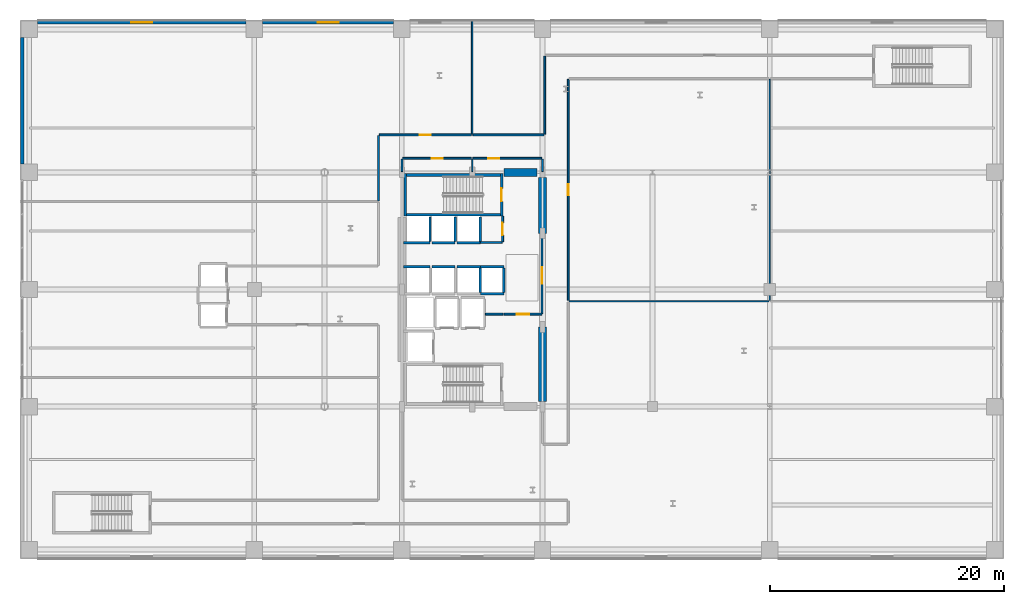
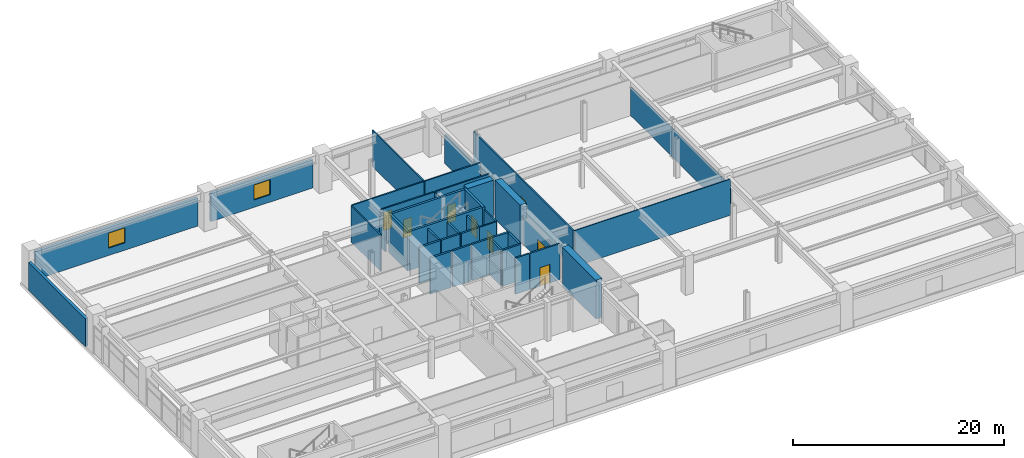
# One storey, part 21 of 28: 41 walls, 8 doors, 2 windows, 10 openings.
"""IFC4 building model written with IfcOpenShell, lengths in metres."""

from ifc_helpers import new_model, si_unit, direction, frame, frame_2d, origin, place, context, subcontext, project, spatial, rectangle, extrude, material, layer, layer_set, type_object, element, fill, save


model = new_model("IFC4")

# Units and contexts
model_context = context("Model", 3, precision=1e-05, world=origin(), true_north=direction((0.0, 1.0)))
body_context = subcontext(model_context, "Body", "Model", "MODEL_VIEW")
ifc_project = project(units=[si_unit("LENGTHUNIT", "METRE"), si_unit("AREAUNIT", "SQUARE_METRE"), si_unit("VOLUMEUNIT", "CUBIC_METRE"), si_unit("PLANEANGLEUNIT", "RADIAN"), si_unit("MASSUNIT", "GRAM", prefix="KILO")], contexts=[model_context])

# Site, building, storey
site_placement = place(None, origin())
site = spatial("IfcSite", under=ifc_project, at=site_placement, CompositionType="ELEMENT")
building_placement = place(site_placement, origin())
building = spatial("IfcBuilding", under=site, at=building_placement, Name="Soratama Intermodal Tower", CompositionType="ELEMENT")
storey_placement = place(building_placement, frame((0.0, 0.0, 16.199951171875)))
storey = spatial("IfcBuildingStorey", under=building, at=storey_placement, Name="L03", CompositionType="ELEMENT", Elevation=16.199951171875)

# Wall, opening, window
ifc_material_1 = material(Name="Concrete f'c 42 MPa", Category="concrete")
ifc_layer_1 = layer(ifc_material_1, 0.300048828125)
ifc_layer_set_1 = layer_set([ifc_layer_1], Name="Concrete f'c 42 MPa")
wall_type_1 = type_object("IfcWallType", Name="EW-STONE-300", PredefinedType="SOLIDWALL", material=ifc_layer_set_1)
wall_1_placement = place(storey_placement, frame((1.5, 47.800048828125, 0.0), z_axis=(0.0, 0.0, 1.0), x_axis=(1.0, 0.0, 0.0)))
wall_1 = element("IfcWall", 1, at=wall_1_placement, inside=storey, type_object=wall_type_1, Name="L03 N Limestone Wall B1", PredefinedType="SOLIDWALL", context=body_context, shape_type="SweptSolid", body=[
    extrude(rectangle(XDim=17.800048828125, YDim=0.300048828125, at=frame_2d((8.89990234375, 0.0))), origin(), (0.0, 0.0, 1.0), 3.236083984375),
])
opening_1_placement = place(wall_1_placement, frame((8.0, 0.0, 0.85009765625)))
opening_1 = element("IfcOpeningElement", 2, at=opening_1_placement, cuts=wall_1, Name="Opening WN-3", PredefinedType="OPENING", context=body_context, shape_type="SweptSolid", body=[
    extrude(rectangle(XDim=1.800048828125, YDim=1.75, at=frame_2d((0.89990234375, 0.875))), frame((0.0, 0.159912109375, 0.0), z_axis=(0.0, -1.0, 0.0), x_axis=(1.0, 0.0, 0.0)), (0.0, 0.0, 1.0), 0.320068359375),
])
ifc_material_2 = material(Name="Double-glazed aluminium window", Category="aluminium")
window_type = type_object("IfcWindowType", Name="WN-POD-1800", PartitioningType="SINGLE_PANEL", PredefinedType="WINDOW", material=ifc_material_2)
window_1_placement = place(opening_1_placement, origin())
window_1 = element("IfcWindow", 3, at=window_1_placement, inside=storey, type_object=window_type, Name="L03 N Window B1", OverallHeight=1.75, OverallWidth=1.800048828125, PartitioningType="SINGLE_PANEL", PredefinedType="WINDOW", context=body_context, shape_type="SweptSolid", body=[
    extrude(rectangle(XDim=1.800048828125, YDim=1.75, at=frame_2d((0.89990234375, 0.875))), frame((0.0, 0.030029296875, 0.0), z_axis=(0.0, -1.0, 0.0), x_axis=(1.0, 0.0, 0.0)), (0.0, 0.0, 1.0), 0.06005859375),
])
fill(opening_1, window_1)

wall_2_placement = place(storey_placement, frame((20.699951171875, 47.800048828125, 0.0), z_axis=(0.0, 0.0, 1.0), x_axis=(1.0, 0.0, 0.0)))
wall_2 = element("IfcWall", 4, at=wall_2_placement, inside=storey, type_object=wall_type_1, Name="L03 N Limestone Wall B2", PredefinedType="SOLIDWALL", context=body_context, shape_type="SweptSolid", body=[
    extrude(rectangle(XDim=11.199951171875, YDim=0.300048828125, at=frame_2d((5.60009765625, 0.0))), origin(), (0.0, 0.0, 1.0), 3.236083984375),
])
opening_2_placement = place(wall_2_placement, frame((4.699951171875, 0.0, 0.85009765625)))
opening_2 = element("IfcOpeningElement", 5, at=opening_2_placement, cuts=wall_2, Name="Opening WN-3", PredefinedType="OPENING", context=body_context, shape_type="SweptSolid", body=[
    extrude(rectangle(XDim=1.800048828125, YDim=1.75, at=frame_2d((0.89990234375, 0.875))), frame((0.0, 0.159912109375, 0.0), z_axis=(0.0, -1.0, 0.0), x_axis=(1.0, 0.0, 0.0)), (0.0, 0.0, 1.0), 0.320068359375),
])
window_2_placement = place(opening_2_placement, origin())
window_2 = element("IfcWindow", 6, at=window_2_placement, inside=storey, type_object=window_type, Name="L03 N Window B2", OverallHeight=1.75, OverallWidth=1.800048828125, PartitioningType="SINGLE_PANEL", PredefinedType="WINDOW", context=body_context, shape_type="SweptSolid", body=[
    extrude(rectangle(XDim=1.800048828125, YDim=1.75, at=frame_2d((0.89990234375, 0.875))), frame((0.0, 0.030029296875, 0.0), z_axis=(0.0, -1.0, 0.0), x_axis=(1.0, 0.0, 0.0)), (0.0, 0.0, 1.0), 0.06005859375),
])
fill(opening_2, window_2)

# Wall
wall_3_placement = place(storey_placement, frame((0.199951171875, 35.699951171875, 0.0), z_axis=(0.0, 0.0, 1.0), x_axis=(0.0, 1.0, 0.0)))
element("IfcWall", 7, at=wall_3_placement, inside=storey, type_object=wall_type_1, Name="L03 Perimeter Wall WN", PredefinedType="SOLIDWALL", context=body_context, shape_type="SweptSolid", body=[
    extrude(rectangle(XDim=10.800048828125, YDim=0.300048828125, at=frame_2d((5.39990234375, 0.0))), origin(), (0.0, 0.0, 1.0), 3.236083984375),
])

# Wall, opening, door
ifc_material_3 = material(Name="Fire-rated gypsum stud partition", Category="concrete")
ifc_layer_2 = layer(ifc_material_3, 0.14990234375)
ifc_layer_set_2 = layer_set([ifc_layer_2], Name="Fire-rated gypsum stud partition")
wall_type_2 = type_object("IfcWallType", Name="IW-PART-R150", PredefinedType="PARTITIONING", material=ifc_layer_set_2)
wall_4_placement = place(storey_placement, frame((46.800048828125, 42.929931640625, 0.0), z_axis=(0.0, 0.0, 1.0), x_axis=(0.0, -1.0, 0.0)))
wall_4 = element("IfcWall", 8, at=wall_4_placement, inside=storey, type_object=wall_type_2, Name="L03 Partition W-L03-TP007", PredefinedType="PARTITIONING", context=body_context, shape_type="SweptSolid", body=[
    extrude(rectangle(XDim=18.85986328125, YDim=0.14990234375, at=frame_2d((9.429931640625, 0.0))), origin(), (0.0, 0.0, 1.0), 4.179931640625),
])
opening_3_placement = place(wall_4_placement, frame((8.955078125, 0.0, 0.0)))
opening_3 = element("IfcOpeningElement", 9, at=opening_3_placement, cuts=wall_4, Name="Opening ID-6", PredefinedType="OPENING", context=body_context, shape_type="SweptSolid", body=[
    extrude(rectangle(XDim=0.919921875, YDim=2.1201171875, at=frame_2d((0.4599609375, 1.06005859375))), frame((0.0, 0.0849609375, 0.0), z_axis=(0.0, -1.0, 0.0), x_axis=(1.0, 0.0, 0.0)), (0.0, 0.0, 1.0), 0.169921875),
])
ifc_material_4 = material(Name="Solid hardwood acoustic door", Category="wood")
door_type_1 = type_object("IfcDoorType", Name="DR-ROOM-920", OperationType="NOTDEFINED", PredefinedType="DOOR", material=ifc_material_4)
door_1_placement = place(opening_3_placement, origin())
door_1 = element("IfcDoor", 10, at=door_1_placement, inside=storey, type_object=door_type_1, Name="L03 Door D-L03-TP003", OperationType="SINGLE_SWING_RIGHT", OverallHeight=2.1201171875, OverallWidth=0.919921875, PredefinedType="DOOR", context=body_context, shape_type="SweptSolid", body=[
    extrude(rectangle(XDim=0.919921875, YDim=2.1201171875, at=frame_2d((0.4599609375, 1.06005859375))), frame((0.0, 0.02490234375, 0.0), z_axis=(0.0, -1.0, 0.0), x_axis=(1.0, 0.0, 0.0)), (0.0, 0.0, 1.0), 0.050048828125),
])
fill(opening_3, door_1)

wall_5_placement = place(storey_placement, frame((30.669921875, 38.199951171875, 0.0), z_axis=(0.0, 0.0, 1.0), x_axis=(1.0, 0.0, 0.0)))
wall_5 = element("IfcWall", 11, at=wall_5_placement, inside=storey, type_object=wall_type_2, Name="L03 Partition W-L03-TP019", PredefinedType="PARTITIONING", context=body_context, shape_type="SweptSolid", body=[
    extrude(rectangle(XDim=7.860107421875, YDim=0.14990234375, at=frame_2d((3.93017578125, 0.0))), origin(), (0.0, 0.0, 1.0), 4.179931640625),
])
opening_4_placement = place(wall_5_placement, frame((3.455078125, 0.0, 0.0)))
opening_4 = element("IfcOpeningElement", 12, at=opening_4_placement, cuts=wall_5, Name="Opening ID-6", PredefinedType="OPENING", context=body_context, shape_type="SweptSolid", body=[
    extrude(rectangle(XDim=0.919921875, YDim=2.1201171875, at=frame_2d((0.4599609375, 1.06005859375))), frame((0.0, 0.0849609375, 0.0), z_axis=(0.0, -1.0, 0.0), x_axis=(1.0, 0.0, 0.0)), (0.0, 0.0, 1.0), 0.169921875),
])
door_2_placement = place(opening_4_placement, origin())
door_2 = element("IfcDoor", 13, at=door_2_placement, inside=storey, type_object=door_type_1, Name="L03 Door D-L03-TP005", OperationType="SINGLE_SWING_RIGHT", OverallHeight=2.1201171875, OverallWidth=0.919921875, PredefinedType="DOOR", context=body_context, shape_type="SweptSolid", body=[
    extrude(rectangle(XDim=0.919921875, YDim=2.1201171875, at=frame_2d((0.4599609375, 1.06005859375))), frame((0.0, 0.02490234375, 0.0), z_axis=(0.0, -1.0, 0.0), x_axis=(1.0, 0.0, 0.0)), (0.0, 0.0, 1.0), 0.050048828125),
])
fill(opening_4, door_2)

wall_6_placement = place(storey_placement, frame((44.56005859375, 29.800048828125, 0.0), z_axis=(0.0, 0.0, 1.0), x_axis=(0.0, -1.0, 0.0)))
wall_6 = element("IfcWall", 14, at=wall_6_placement, inside=storey, type_object=wall_type_2, Name="L03 Partition W-L03-TP020", PredefinedType="PARTITIONING", context=body_context, shape_type="SweptSolid", body=[
    extrude(rectangle(XDim=6.91015625, YDim=0.14990234375, at=frame_2d((3.455078125, 0.0))), origin(), (0.0, 0.0, 1.0), 3.219970703125),
])
opening_5_placement = place(wall_6_placement, frame((2.9150390625, 0.0, 0.0)))
opening_5 = element("IfcOpeningElement", 15, at=opening_5_placement, cuts=wall_6, Name="Opening ID-2", PredefinedType="OPENING", context=body_context, shape_type="SweptSolid", body=[
    extrude(rectangle(XDim=1.3798828125, YDim=2.199951171875, at=frame_2d((0.68994140625, 1.10009765625))), frame((0.0, 0.0849609375, 0.0), z_axis=(0.0, -1.0, 0.0), x_axis=(1.0, 0.0, 0.0)), (0.0, 0.0, 1.0), 0.169921875),
])
ifc_material_5 = material(Name="Solid hardwood acoustic door", Category="wood")
door_type_2 = type_object("IfcDoorType", Name="DR-POD-1400", OperationType="NOTDEFINED", PredefinedType="DOOR", material=ifc_material_5)
door_3_placement = place(opening_5_placement, origin())
door_3 = element("IfcDoor", 16, at=door_3_placement, inside=storey, type_object=door_type_2, Name="L03 Door D-L03-TP006", OperationType="SINGLE_SWING_LEFT", OverallHeight=2.199951171875, OverallWidth=1.3798828125, PredefinedType="DOOR", context=body_context, shape_type="SweptSolid", body=[
    extrude(rectangle(XDim=1.3798828125, YDim=2.199951171875, at=frame_2d((0.68994140625, 1.10009765625))), frame((0.0, 0.02490234375, 0.0), z_axis=(0.0, -1.0, 0.0), x_axis=(1.0, 0.0, 0.0)), (0.0, 0.0, 1.0), 0.050048828125),
])
fill(opening_5, door_3)

# Walls
wall_7_placement = place(storey_placement, frame((44.800048828125, 38.27001953125, 0.0), z_axis=(0.0, 0.0, 1.0), x_axis=(0.0, 1.0, 0.0)))
element("IfcWall", 17, at=wall_7_placement, inside=storey, type_object=wall_type_2, Name="L03 Partition W-L03-TP021", PredefinedType="PARTITIONING", context=body_context, shape_type="SweptSolid", body=[
    extrude(rectangle(XDim=6.659912109375, YDim=0.14990234375, at=frame_2d((3.330078125, 0.0))), origin(), (0.0, 0.0, 1.0), 3.302001953125),
])
wall_8_placement = place(storey_placement, frame((38.669921875, 38.199951171875, 0.0), z_axis=(0.0, 0.0, 1.0), x_axis=(1.0, 0.0, 0.0)))
element("IfcWall", 18, at=wall_8_placement, inside=storey, type_object=wall_type_2, Name="L03 Partition W-L03-TP022", PredefinedType="PARTITIONING", context=body_context, shape_type="SweptSolid", body=[
    extrude(rectangle(XDim=6.06005859375, YDim=0.14990234375, at=frame_2d((3.030029296875, 0.0))), origin(), (0.0, 0.0, 1.0), 4.179931640625),
])

# Wall, opening, door
wall_9_placement = place(storey_placement, frame((38.530029296875, 36.199951171875, 0.0), z_axis=(0.0, 0.0, 1.0), x_axis=(-1.0, 0.0, 0.0)))
wall_9 = element("IfcWall", 19, at=wall_9_placement, inside=storey, type_object=wall_type_2, Name="L03 Partition W-L03-TP023", PredefinedType="PARTITIONING", context=body_context, shape_type="SweptSolid", body=[
    extrude(rectangle(XDim=5.860107421875, YDim=0.14990234375, at=frame_2d((2.93017578125, 0.0))), origin(), (0.0, 0.0, 1.0), 4.179931640625),
])
opening_6_placement = place(wall_9_placement, frame((2.455078125, 0.0, 0.0)))
opening_6 = element("IfcOpeningElement", 20, at=opening_6_placement, cuts=wall_9, Name="Opening ID-6", PredefinedType="OPENING", context=body_context, shape_type="SweptSolid", body=[
    extrude(rectangle(XDim=0.919921875, YDim=2.1201171875, at=frame_2d((0.4599609375, 1.06005859375))), frame((0.0, 0.0849609375, 0.0), z_axis=(0.0, -1.0, 0.0), x_axis=(1.0, 0.0, 0.0)), (0.0, 0.0, 1.0), 0.169921875),
])
door_4_placement = place(opening_6_placement, origin())
door_4 = element("IfcDoor", 21, at=door_4_placement, inside=storey, type_object=door_type_1, Name="L03 Door D-L03-TP007", OperationType="SINGLE_SWING_RIGHT", OverallHeight=2.1201171875, OverallWidth=0.919921875, PredefinedType="DOOR", context=body_context, shape_type="SweptSolid", body=[
    extrude(rectangle(XDim=0.919921875, YDim=2.1201171875, at=frame_2d((0.4599609375, 1.06005859375))), frame((0.0, 0.02490234375, 0.0), z_axis=(0.0, -1.0, 0.0), x_axis=(1.0, 0.0, 0.0)), (0.0, 0.0, 1.0), 0.050048828125),
])
fill(opening_6, door_4)

wall_10_placement = place(storey_placement, frame((44.530029296875, 36.199951171875, 0.0), z_axis=(0.0, 0.0, 1.0), x_axis=(-1.0, 0.0, 0.0)))
wall_10 = element("IfcWall", 22, at=wall_10_placement, inside=storey, type_object=wall_type_2, Name="L03 Partition W-L03-TP024", PredefinedType="PARTITIONING", context=body_context, shape_type="SweptSolid", body=[
    extrude(rectangle(XDim=5.860107421875, YDim=0.14990234375, at=frame_2d((2.93017578125, 0.0))), origin(), (0.0, 0.0, 1.0), 4.179931640625),
])
opening_7_placement = place(wall_10_placement, frame((3.626953125, 0.0, 0.0)))
opening_7 = element("IfcOpeningElement", 23, at=opening_7_placement, cuts=wall_10, Name="Opening ID-6", PredefinedType="OPENING", context=body_context, shape_type="SweptSolid", body=[
    extrude(rectangle(XDim=0.919921875, YDim=2.1201171875, at=frame_2d((0.4599609375, 1.06005859375))), frame((0.0, 0.0849609375, 0.0), z_axis=(0.0, -1.0, 0.0), x_axis=(1.0, 0.0, 0.0)), (0.0, 0.0, 1.0), 0.169921875),
])
door_5_placement = place(opening_7_placement, origin())
door_5 = element("IfcDoor", 24, at=door_5_placement, inside=storey, type_object=door_type_1, Name="L03 Door D-L03-TP008", OperationType="SINGLE_SWING_LEFT", OverallHeight=2.1201171875, OverallWidth=0.919921875, PredefinedType="DOOR", context=body_context, shape_type="SweptSolid", body=[
    extrude(rectangle(XDim=0.919921875, YDim=2.1201171875, at=frame_2d((0.4599609375, 1.06005859375))), frame((0.0, 0.02490234375, 0.0), z_axis=(0.0, -1.0, 0.0), x_axis=(1.0, 0.0, 0.0)), (0.0, 0.0, 1.0), 0.050048828125),
])
fill(opening_7, door_5)

# Wall
wall_11_placement = place(storey_placement, frame((30.60009765625, 32.570068359375, 0.0), z_axis=(0.0, 0.0, 1.0), x_axis=(0.0, 1.0, 0.0)))
element("IfcWall", 25, at=wall_11_placement, inside=storey, type_object=wall_type_2, Name="L03 Partition W-L03-TP025", PredefinedType="PARTITIONING", context=body_context, shape_type="SweptSolid", body=[
    extrude(rectangle(XDim=5.559814453125, YDim=0.14990234375, at=frame_2d((2.77978515625, 0.0))), origin(), (0.0, 0.0, 1.0), 4.179931640625),
])

# Wall, opening, door
wall_12_placement = place(storey_placement, frame((41.199951171875, 29.070068359375, 0.0), z_axis=(0.0, 0.0, 1.0), x_axis=(0.0, 1.0, 0.0)))
wall_12 = element("IfcWall", 26, at=wall_12_placement, inside=storey, type_object=wall_type_2, Name="L03 Partition W-L03-TP030", PredefinedType="PARTITIONING", context=body_context, shape_type="SweptSolid", body=[
    extrude(rectangle(XDim=2.18994140625, YDim=0.14990234375, at=frame_2d((1.094970703125, 0.0))), origin(), (0.0, 0.0, 1.0), 4.179931640625),
])
opening_8_placement = place(wall_12_placement, frame((0.554931640625, 0.0, 0.0)))
opening_8 = element("IfcOpeningElement", 27, at=opening_8_placement, cuts=wall_12, Name="Opening ID-1", PredefinedType="OPENING", context=body_context, shape_type="SweptSolid", body=[
    extrude(rectangle(XDim=1.080078125, YDim=2.14990234375, at=frame_2d((0.5400390625, 1.074951171875))), frame((0.0, 0.0849609375, 0.0), z_axis=(0.0, -1.0, 0.0), x_axis=(1.0, 0.0, 0.0)), (0.0, 0.0, 1.0), 0.169921875),
])
ifc_material_6 = material(Name="Solid hardwood acoustic door", Category="wood")
door_type_3 = type_object("IfcDoorType", Name="DR-LOB-FD60", OperationType="NOTDEFINED", PredefinedType="DOOR", material=ifc_material_6)
door_6_placement = place(opening_8_placement, origin())
door_6 = element("IfcDoor", 28, at=door_6_placement, inside=storey, type_object=door_type_3, Name="L03 Door D-L03-TP010", OperationType="SINGLE_SWING_LEFT", OverallHeight=2.14990234375, OverallWidth=1.080078125, PredefinedType="DOOR", context=body_context, shape_type="SweptSolid", body=[
    extrude(rectangle(XDim=1.080078125, YDim=2.14990234375, at=frame_2d((0.5400390625, 1.074951171875))), frame((0.0, 0.02490234375, 0.0), z_axis=(0.0, -1.0, 0.0), x_axis=(1.0, 0.0, 0.0)), (0.0, 0.0, 1.0), 0.050048828125),
])
fill(opening_8, door_6)

# Walls
wall_13_placement = place(storey_placement, frame((39.300048828125, 29.010009765625, 0.0), z_axis=(0.0, 0.0, 1.0), x_axis=(1.0, 0.0, 0.0)))
element("IfcWall", 29, at=wall_13_placement, inside=storey, type_object=wall_type_2, Name="L03 Partition W-L03-TP033", PredefinedType="PARTITIONING", context=body_context, shape_type="SweptSolid", body=[
    extrude(rectangle(XDim=1.85986328125, YDim=0.14990234375, at=frame_2d((0.929931640625, 0.0))), origin(), (0.0, 0.0, 1.0), 4.179931640625),
])
for number, where, z_axis, x_axis, name in (
    (30, (32.60009765625, 36.1298828125, 0.0), (0.0, 0.0, 1.0), (0.0, -1.0, 0.0), "L03 Partition W-L03-TP037"),
    (31, (44.60009765625, 35.070068359375, 0.0), (0.0, 0.0, 1.0), (0.0, 1.0, 0.0), "L03 Partition W-L03-TP038"),
):
    element("IfcWall", number, at=place(storey_placement, frame(where, z_axis=z_axis, x_axis=x_axis)), inside=storey, type_object=wall_type_2, Name=name, PredefinedType="PARTITIONING", context=body_context, shape_type="SweptSolid", body=[
        extrude(rectangle(XDim=1.059814453125, YDim=0.14990234375, at=frame_2d((0.52978515625, 0.0))), origin(), (0.0, 0.0, 1.0), 3.302001953125),
    ])

# Wall, opening, door
ifc_material_7 = material(Name="Fire-rated gypsum stud partition", Category="concrete")
ifc_layer_3 = layer(ifc_material_7, 0.169921875)
ifc_layer_set_3 = layer_set([ifc_layer_3], Name="Fire-rated gypsum stud partition")
wall_type_3 = type_object("IfcWallType", Name="IW-PART-R170", PredefinedType="PARTITIONING", material=ifc_layer_set_3)
wall_14_placement = place(storey_placement, frame((41.320068359375, 22.889892578125, 0.0), z_axis=(0.0, 0.0, 1.0), x_axis=(1.0, 0.0, 0.0)))
wall_14 = element("IfcWall", 32, at=wall_14_placement, inside=storey, type_object=wall_type_3, Name="L03 Partition W-L03-TP028", PredefinedType="PARTITIONING", context=body_context, shape_type="SweptSolid", body=[
    extrude(rectangle(XDim=3.239990234375, YDim=0.169921875, at=frame_2d((1.6201171875, 0.0))), origin(), (0.0, 0.0, 1.0), 4.179931640625),
])
opening_9_placement = place(wall_14_placement, frame((1.080078125, 0.0, 0.0)))
opening_9 = element("IfcOpeningElement", 33, at=opening_9_placement, cuts=wall_14, Name="Opening ID-0", PredefinedType="OPENING", context=body_context, shape_type="SweptSolid", body=[
    extrude(rectangle(XDim=1.080078125, YDim=2.14990234375, at=frame_2d((0.5400390625, 1.074951171875))), frame((0.0, 0.094970703125, 0.0), z_axis=(0.0, -1.0, 0.0), x_axis=(1.0, 0.0, 0.0)), (0.0, 0.0, 1.0), 0.18994140625),
])
ifc_material_8 = material(Name="Solid hardwood acoustic door", Category="wood")
door_type_4 = type_object("IfcDoorType", Name="DR-LOB-FD90", OperationType="NOTDEFINED", PredefinedType="DOOR", material=ifc_material_8)
door_7_placement = place(opening_9_placement, origin())
door_7 = element("IfcDoor", 34, at=door_7_placement, inside=storey, type_object=door_type_4, Name="L03 Door D-L03-TP009", OperationType="SINGLE_SWING_RIGHT", OverallHeight=2.14990234375, OverallWidth=1.080078125, PredefinedType="DOOR", context=body_context, shape_type="SweptSolid", body=[
    extrude(rectangle(XDim=1.080078125, YDim=2.14990234375, at=frame_2d((0.5400390625, 1.074951171875))), frame((0.0, 0.02490234375, 0.0), z_axis=(0.0, -1.0, 0.0), x_axis=(1.0, 0.0, 0.0)), (0.0, 0.0, 1.0), 0.050048828125),
])
fill(opening_9, door_7)

# Walls
wall_15_placement = place(storey_placement, frame((39.719970703125, 22.889892578125, 0.0), z_axis=(0.0, 0.0, 1.0), x_axis=(1.0, 0.0, 0.0)))
element("IfcWall", 35, at=wall_15_placement, inside=storey, type_object=wall_type_3, Name="L03 Partition W-L03-TP034", PredefinedType="PARTITIONING", context=body_context, shape_type="SweptSolid", body=[
    extrude(rectangle(XDim=1.52001953125, YDim=0.169921875, at=frame_2d((0.760009765625, 0.0))), origin(), (0.0, 0.0, 1.0), 4.179931640625),
])
ifc_material_9 = material(Name="Fire-rated gypsum stud partition", Category="concrete")
ifc_layer_4 = layer(ifc_material_9, 0.10009765625)
ifc_layer_set_4 = layer_set([ifc_layer_4], Name="Fire-rated gypsum stud partition")
wall_type_4 = type_object("IfcWallType", Name="IW-PART-S100", PredefinedType="PARTITIONING", material=ifc_layer_set_4)
wall_16_placement = place(storey_placement, frame((46.8701171875, 24.0, 0.0), z_axis=(0.0, 0.0, 1.0), x_axis=(1.0, 0.0, 0.0)))
element("IfcWall", 36, at=wall_16_placement, inside=storey, type_object=wall_type_4, Name="L03 Partition W-L03-TP010", PredefinedType="PARTITIONING", context=body_context, shape_type="SweptSolid", body=[
    extrude(rectangle(XDim=17.059814453125, YDim=0.10009765625, at=frame_2d((8.52978515625, 0.0))), origin(), (0.0, 0.0, 1.0), 4.179931640625),
])
ifc_material_10 = material(Name="Fire-rated gypsum stud partition", Category="concrete")
ifc_layer_5 = layer(ifc_material_10, 0.110107421875)
ifc_layer_set_5 = layer_set([ifc_layer_5], Name="Fire-rated gypsum stud partition")
wall_type_5 = type_object("IfcWallType", Name="IW-PART-S110", PredefinedType="PARTITIONING", material=ifc_layer_set_5)
wall_17_placement = place(storey_placement, frame((38.60009765625, 36.1298828125, 0.0), z_axis=(0.0, 0.0, 1.0), x_axis=(0.0, -1.0, 0.0)))
element("IfcWall", 37, at=wall_17_placement, inside=storey, type_object=wall_type_5, Name="L03 Partition W-L03-TP039", PredefinedType="PARTITIONING", context=body_context, shape_type="SweptSolid", body=[
    extrude(rectangle(XDim=1.059814453125, YDim=0.110107421875, at=frame_2d((0.52978515625, 0.0))), origin(), (0.0, 0.0, 1.0), 4.179931640625),
])
ifc_material_11 = material(Name="Fire-rated gypsum stud partition", Category="concrete")
ifc_layer_6 = layer(ifc_material_11, 0.1201171875)
ifc_layer_set_6 = layer_set([ifc_layer_6], Name="Fire-rated gypsum stud partition")
wall_type_6 = type_object("IfcWallType", Name="IW-PART-S120", PredefinedType="PARTITIONING", material=ifc_layer_set_6)
wall_18_placement = place(storey_placement, frame((64.0, 42.929931640625, 0.0), z_axis=(0.0, 0.0, 1.0), x_axis=(0.0, -1.0, 0.0)))
element("IfcWall", 38, at=wall_18_placement, inside=storey, type_object=wall_type_6, Name="L03 Partition W-L03-TP008", PredefinedType="PARTITIONING", context=body_context, shape_type="SweptSolid", body=[
    extrude(rectangle(XDim=18.85986328125, YDim=0.1201171875, at=frame_2d((9.429931640625, 0.0))), origin(), (0.0, 0.0, 1.0), 3.302001953125),
])
ifc_material_12 = material(Name="Fire-rated gypsum stud partition", Category="concrete")
ifc_layer_7 = layer(ifc_material_12, 0.139892578125)
ifc_layer_set_7 = layer_set([ifc_layer_7], Name="Fire-rated gypsum stud partition")
wall_type_7 = type_object("IfcWallType", Name="IW-PART-S140", PredefinedType="PARTITIONING", material=ifc_layer_set_7)
wall_19_placement = place(storey_placement, frame((38.60009765625, 38.27001953125, 0.0), z_axis=(0.0, 0.0, 1.0), x_axis=(0.0, 1.0, 0.0)))
element("IfcWall", 39, at=wall_19_placement, inside=storey, type_object=wall_type_7, Name="L03 Partition W-L03-TP016", PredefinedType="PARTITIONING", context=body_context, shape_type="SweptSolid", body=[
    extrude(rectangle(XDim=9.72998046875, YDim=0.139892578125, at=frame_2d((4.864990234375, 0.0))), origin(), (0.0, 0.0, 1.0), 4.179931640625),
])
ifc_material_13 = material(Name="Concrete f'c 42 MPa", Category="concrete")
ifc_layer_8 = layer(ifc_material_13, 0.199951171875)
ifc_layer_set_8 = layer_set([ifc_layer_8], Name="Concrete f'c 42 MPa")
wall_type_8 = type_object("IfcWallType", Name="IW-SHAFT-200", PredefinedType="SOLIDWALL", material=ifc_layer_set_8)
wall_20_placement = place(storey_placement, frame((32.719970703125, 26.949951171875, 0.0), z_axis=(0.0, 0.0, 1.0), x_axis=(1.0, 0.0, 0.0)))
element("IfcWall", 40, at=wall_20_placement, inside=storey, type_object=wall_type_8, Name="L03 PL-L1 Hoistway Wall N", PredefinedType="SOLIDWALL", context=body_context, shape_type="SweptSolid", body=[
    extrude(rectangle(XDim=2.280029296875, YDim=0.199951171875, at=frame_2d((1.14013671875, 0.0))), origin(), (0.0, 0.0, 1.0), 4.179931640625),
])
for number, where, z_axis, x_axis, name in (
    (41, (35.14990234375, 26.949951171875, 0.0), (0.0, 0.0, 1.0), (1.0, 0.0, 0.0), "L03 PL-L2 Hoistway Wall N"),
    (42, (37.300048828125, 26.949951171875, 0.0), (0.0, 0.0, 1.0), (1.0, 0.0, 0.0), "L03 PL-L3 Hoistway Wall N"),
):
    element("IfcWall", number, at=place(storey_placement, frame(where, z_axis=z_axis, x_axis=x_axis)), inside=storey, type_object=wall_type_8, Name=name, PredefinedType="SOLIDWALL", context=body_context, shape_type="SweptSolid", body=[
        extrude(rectangle(XDim=2.0, YDim=0.199951171875, at=frame_2d((1.0, 0.0))), origin(), (0.0, 0.0, 1.0), 4.179931640625),
    ])
wall_21_placement = place(storey_placement, frame((39.300048828125, 24.760009765625, 0.0), z_axis=(0.0, 0.0, 1.0), x_axis=(0.0, 1.0, 0.0)))
element("IfcWall", 43, at=wall_21_placement, inside=storey, type_object=wall_type_8, Name="L03 PL-L3 Hoistway Wall E", PredefinedType="SOLIDWALL", context=body_context, shape_type="SweptSolid", body=[
    extrude(rectangle(XDim=2.080078125, YDim=0.199951171875, at=frame_2d((1.0400390625, 0.0))), origin(), (0.0, 0.0, 1.0), 4.179931640625),
])
for number, where, z_axis, x_axis, name in (
    (44, (39.300048828125, 24.64990234375, 0.0), (0.0, 0.0, 1.0), (1.0, 0.0, 0.0), "L03 PL-M1 Hoistway Wall S"),
    (45, (39.300048828125, 26.949951171875, 0.0), (0.0, 0.0, 1.0), (1.0, 0.0, 0.0), "L03 PL-M1 Hoistway Wall N"),
):
    element("IfcWall", number, at=place(storey_placement, frame(where, z_axis=z_axis, x_axis=x_axis)), inside=storey, type_object=wall_type_8, Name=name, PredefinedType="SOLIDWALL", context=body_context, shape_type="SweptSolid", body=[
        extrude(rectangle(XDim=2.0, YDim=0.199951171875, at=frame_2d((1.0, 0.0))), origin(), (0.0, 0.0, 1.0), 4.179931640625),
    ])
wall_22_placement = place(storey_placement, frame((41.300048828125, 24.760009765625, 0.0), z_axis=(0.0, 0.0, 1.0), x_axis=(0.0, 1.0, 0.0)))
element("IfcWall", 46, at=wall_22_placement, inside=storey, type_object=wall_type_8, Name="L03 PL-M1 Hoistway Wall E", PredefinedType="SOLIDWALL", context=body_context, shape_type="SweptSolid", body=[
    extrude(rectangle(XDim=2.080078125, YDim=0.199951171875, at=frame_2d((1.0400390625, 0.0))), origin(), (0.0, 0.0, 1.0), 4.179931640625),
])
wall_23_placement = place(storey_placement, frame((32.719970703125, 29.0, 0.0), z_axis=(0.0, 0.0, 1.0), x_axis=(1.0, 0.0, 0.0)))
element("IfcWall", 47, at=wall_23_placement, inside=storey, type_object=wall_type_8, Name="L03 PL-M2 Hoistway Wall S", PredefinedType="SOLIDWALL", context=body_context, shape_type="SweptSolid", body=[
    extrude(rectangle(XDim=2.280029296875, YDim=0.199951171875, at=frame_2d((1.14013671875, 0.0))), origin(), (0.0, 0.0, 1.0), 4.179931640625),
])
wall_24_placement = place(storey_placement, frame((35.0, 29.110107421875, 0.0), z_axis=(0.0, 0.0, 1.0), x_axis=(0.0, 1.0, 0.0)))
element("IfcWall", 48, at=wall_24_placement, inside=storey, type_object=wall_type_8, Name="L03 PL-M2 Hoistway Wall E", PredefinedType="SOLIDWALL", context=body_context, shape_type="SweptSolid", body=[
    extrude(rectangle(XDim=2.099853515625, YDim=0.199951171875, at=frame_2d((1.0498046875, 0.0))), origin(), (0.0, 0.0, 1.0), 4.179931640625),
])
wall_25_placement = place(storey_placement, frame((35.14990234375, 29.0, 0.0), z_axis=(0.0, 0.0, 1.0), x_axis=(1.0, 0.0, 0.0)))
element("IfcWall", 49, at=wall_25_placement, inside=storey, type_object=wall_type_8, Name="L03 PL-H1 Hoistway Wall S", PredefinedType="SOLIDWALL", context=body_context, shape_type="SweptSolid", body=[
    extrude(rectangle(XDim=2.0, YDim=0.199951171875, at=frame_2d((1.0, 0.0))), origin(), (0.0, 0.0, 1.0), 4.179931640625),
])
wall_26_placement = place(storey_placement, frame((37.14990234375, 29.110107421875, 0.0), z_axis=(0.0, 0.0, 1.0), x_axis=(0.0, 1.0, 0.0)))
element("IfcWall", 50, at=wall_26_placement, inside=storey, type_object=wall_type_8, Name="L03 PL-H1 Hoistway Wall E", PredefinedType="SOLIDWALL", context=body_context, shape_type="SweptSolid", body=[
    extrude(rectangle(XDim=2.099853515625, YDim=0.199951171875, at=frame_2d((1.0498046875, 0.0))), origin(), (0.0, 0.0, 1.0), 4.179931640625),
])
wall_27_placement = place(storey_placement, frame((37.300048828125, 29.0, 0.0), z_axis=(0.0, 0.0, 1.0), x_axis=(1.0, 0.0, 0.0)))
element("IfcWall", 51, at=wall_27_placement, inside=storey, type_object=wall_type_8, Name="L03 PL-H2 Hoistway Wall S", PredefinedType="SOLIDWALL", context=body_context, shape_type="SweptSolid", body=[
    extrude(rectangle(XDim=2.0, YDim=0.199951171875, at=frame_2d((1.0, 0.0))), origin(), (0.0, 0.0, 1.0), 4.179931640625),
])
wall_28_placement = place(storey_placement, frame((39.300048828125, 29.110107421875, 0.0), z_axis=(0.0, 0.0, 1.0), x_axis=(0.0, 1.0, 0.0)))
element("IfcWall", 52, at=wall_28_placement, inside=storey, type_object=wall_type_8, Name="L03 PL-H2 Hoistway Wall E", PredefinedType="SOLIDWALL", context=body_context, shape_type="SweptSolid", body=[
    extrude(rectangle(XDim=2.099853515625, YDim=0.199951171875, at=frame_2d((1.0498046875, 0.0))), origin(), (0.0, 0.0, 1.0), 4.179931640625),
])
ifc_material_14 = material(Name="Concrete f'c 56 MPa", Category="concrete")
ifc_layer_9 = layer(ifc_material_14, 0.699951171875)
ifc_layer_set_9 = layer_set([ifc_layer_9], Name="Concrete f'c 56 MPa")
wall_type_9 = type_object("IfcWallType", Name="SW-CORE-700", PredefinedType="SHEAR", material=ifc_layer_set_9)
wall_29_placement = place(storey_placement, frame((41.300048828125, 35.0, 0.0), z_axis=(0.0, 0.0, 1.0), x_axis=(1.0, 0.0, 0.0)))
element("IfcWall", 53, at=wall_29_placement, inside=storey, type_object=wall_type_9, Name="L03 Core Shear Wall CW-NE", PredefinedType="SHEAR", context=body_context, shape_type="SweptSolid", body=[
    extrude(rectangle(XDim=2.849853515625, YDim=0.699951171875, at=frame_2d((1.4248046875, 0.0))), origin(), (0.0, 0.0, 1.0), 4.5),
])
wall_30_placement = place(storey_placement, frame((44.60009765625, 15.449951171875, 0.0), z_axis=(0.0, 0.0, 1.0), x_axis=(0.0, 1.0, 0.0)))
element("IfcWall", 54, at=wall_30_placement, inside=storey, type_object=wall_type_9, Name="L03 Core Shear Wall CW-ES", PredefinedType="SHEAR", context=body_context, shape_type="SweptSolid", body=[
    extrude(rectangle(XDim=6.35009765625, YDim=0.699951171875, at=frame_2d((3.175048828125, 0.0))), origin(), (0.0, 0.0, 1.0), 4.5),
])
wall_31_placement = place(storey_placement, frame((44.60009765625, 29.800048828125, 0.0), z_axis=(0.0, 0.0, 1.0), x_axis=(0.0, 1.0, 0.0)))
element("IfcWall", 55, at=wall_31_placement, inside=storey, type_object=wall_type_9, Name="L03 Core Shear Wall CW-EN", PredefinedType="SHEAR", context=body_context, shape_type="SweptSolid", body=[
    extrude(rectangle(XDim=4.75, YDim=0.699951171875, at=frame_2d((2.375, 0.0))), origin(), (0.0, 0.0, 1.0), 4.5),
])
ifc_material_15 = material(Name="Concrete f'c 56 MPa", Category="concrete")
ifc_layer_10 = layer(ifc_material_15, 0.239990234375)
ifc_layer_set_10 = layer_set([ifc_layer_10], Name="Concrete f'c 56 MPa")
wall_type_10 = type_object("IfcWallType", Name="SW-STAIR-240", PredefinedType="SHEAR", material=ifc_layer_set_10)
wall_32_placement = place(storey_placement, frame((32.8798828125, 31.260009765625, 0.0), z_axis=(0.0, 0.0, 1.0), x_axis=(0.0, 1.0, 0.0)))
element("IfcWall", 56, at=wall_32_placement, inside=storey, type_object=wall_type_10, Name="L03 ST-2 Shaft Shear Wall W", PredefinedType="SHEAR", context=body_context, shape_type="SweptSolid", body=[
    extrude(rectangle(XDim=3.6298828125, YDim=0.239990234375, at=frame_2d((1.81494140625, 0.0))), origin(), (0.0, 0.0, 1.0), 4.5),
])

# Wall, opening, door
wall_33_placement = place(storey_placement, frame((41.1201171875, 31.260009765625, 0.0), z_axis=(0.0, 0.0, 1.0), x_axis=(0.0, 1.0, 0.0)))
wall_33 = element("IfcWall", 57, at=wall_33_placement, inside=storey, type_object=wall_type_10, Name="L03 ST-2 Shaft Shear Wall E", PredefinedType="SHEAR", context=body_context, shape_type="SweptSolid", body=[
    extrude(rectangle(XDim=3.6298828125, YDim=0.239990234375, at=frame_2d((1.81494140625, 0.0))), origin(), (0.0, 0.0, 1.0), 4.5),
])
opening_10_placement = place(wall_33_placement, frame((1.2548828125, 0.0, 0.0)))
opening_10 = element("IfcOpeningElement", 58, at=opening_10_placement, cuts=wall_33, Name="Opening SD-1", PredefinedType="OPENING", context=body_context, shape_type="SweptSolid", body=[
    extrude(rectangle(XDim=1.1201171875, YDim=2.14990234375, at=frame_2d((0.56005859375, 1.074951171875))), frame((0.0, 0.1298828125, 0.0), z_axis=(0.0, -1.0, 0.0), x_axis=(1.0, 0.0, 0.0)), (0.0, 0.0, 1.0), 0.260009765625),
])
ifc_material_16 = material(Name="Steel fire door", Category="steel")
door_type_5 = type_object("IfcDoorType", Name="DR-STAIR-FD90", OperationType="NOTDEFINED", PredefinedType="DOOR", material=ifc_material_16)
door_8_placement = place(opening_10_placement, origin())
door_8 = element("IfcDoor", 59, at=door_8_placement, inside=storey, type_object=door_type_5, Name="L03 ST-2 Exit Stair Door", OperationType="SINGLE_SWING_RIGHT", OverallHeight=2.14990234375, OverallWidth=1.1201171875, PredefinedType="DOOR", context=body_context, shape_type="SweptSolid", body=[
    extrude(rectangle(XDim=1.1201171875, YDim=2.14990234375, at=frame_2d((0.56005859375, 1.074951171875))), frame((0.0, 0.02490234375, 0.0), z_axis=(0.0, -1.0, 0.0), x_axis=(1.0, 0.0, 0.0)), (0.0, 0.0, 1.0), 0.050048828125),
])
fill(opening_10, door_8)

# Walls
for number, where, z_axis, x_axis, name in (
    (60, (33.0, 31.3798828125, 0.0), (0.0, 0.0, 1.0), (1.0, 0.0, 0.0), "L03 ST-2 Shaft Shear Wall S"),
    (61, (33.0, 34.77001953125, 0.0), (0.0, 0.0, 1.0), (1.0, 0.0, 0.0), "L03 ST-2 Shaft Shear Wall N"),
):
    element("IfcWall", number, at=place(storey_placement, frame(where, z_axis=z_axis, x_axis=x_axis)), inside=storey, type_object=wall_type_10, Name=name, PredefinedType="SHEAR", context=body_context, shape_type="SweptSolid", body=[
        extrude(rectangle(XDim=8.0, YDim=0.239990234375, at=frame_2d((4.0, 0.0))), origin(), (0.0, 0.0, 1.0), 4.5),
    ])

save(model, "model.ifc")
